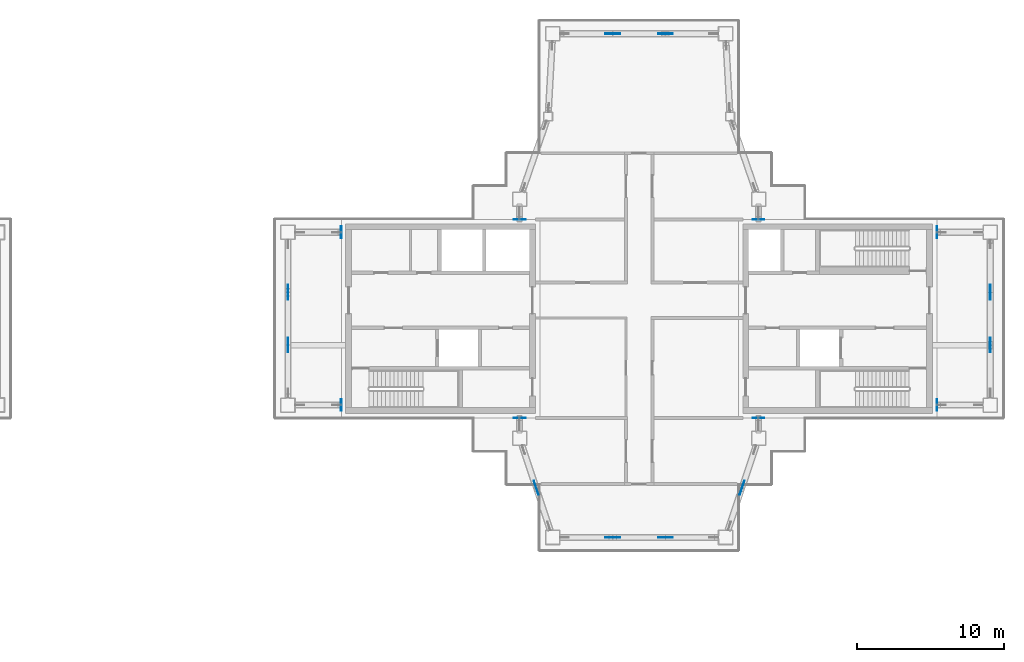
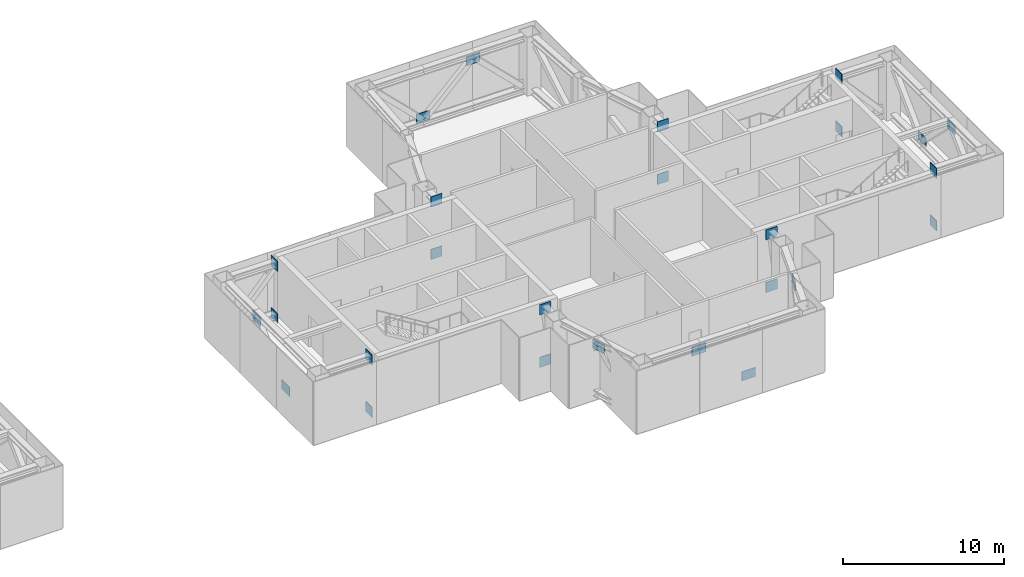
# One storey, part 12 of 18: 26 discrete accessories.
"""IFC4 building model written with IfcOpenShell, lengths in metres."""

from ifc_helpers import new_model, si_unit, direction, frame, origin, origin_2d, place, context, subcontext, project, spatial, rectangle, extrude, material, layer, layer_set, type_object, element, save


model = new_model("IFC4")

# Units and contexts
model_context = context("Model", 3, precision=1e-05, world=origin(), true_north=direction((0.0, 1.0)))
body_context = subcontext(model_context, "Body", "Model", "MODEL_VIEW")
ifc_project = project(units=[si_unit("LENGTHUNIT", "METRE"), si_unit("AREAUNIT", "SQUARE_METRE"), si_unit("VOLUMEUNIT", "CUBIC_METRE"), si_unit("PLANEANGLEUNIT", "RADIAN"), si_unit("MASSUNIT", "GRAM", prefix="KILO")], contexts=[model_context])

# Site, building, storey
site_placement = place(None, origin())
site = spatial("IfcSite", under=ifc_project, at=site_placement, CompositionType="ELEMENT")
building_placement = place(site_placement, origin())
building = spatial("IfcBuilding", under=site, at=building_placement, Name="Shamsa Quay Exchange Towers", CompositionType="ELEMENT")
storey_placement = place(building_placement, frame((0.0, 0.0, 225.60009765625)))
storey = spatial("IfcBuildingStorey", under=building, at=storey_placement, Name="L54", CompositionType="ELEMENT", Elevation=225.60009765625)

# Discrete accessories
ifc_material = material(Name="Steel S355", Category="steel")
ifc_layer_1 = layer(ifc_material, 0.050048828125)
ifc_layer_set_1 = layer_set([ifc_layer_1], Name="Cast-in plate 50x800x765")
discrete_accessory_type_1 = type_object("IfcDiscreteAccessoryType", Name="Cast-in plate 50x800x765", PredefinedType="ANCHORPLATE", material=ifc_layer_set_1)
for number, where, name in (
    (1, (13.5, -5.875, 3.834716796875), "Cast-in plate T2 L54"),
    (2, (13.5, -5.875, -0.150146484375), "Cast-in plate T2 L54"),
):
    element("IfcDiscreteAccessory", number, at=place(storey_placement, frame(where)), inside=storey, type_object=discrete_accessory_type_1, Name=name, PredefinedType="ANCHORPLATE", context=body_context, shape_type="SweptSolid", body=[
        extrude(rectangle(XDim=0.050048828125, YDim=0.800048828125, at=origin_2d()), origin(), (0.0, 0.0, 1.0), 0.76513671875),
    ])
for number, where, z_axis, x_axis, name in (
    (3, (25.625, -6.75, 3.834716796875), (0.0, 0.0, 1.0), (0.0, 1.0, 0.0), "Cast-in plate T2 L54"),
    (4, (25.625, -6.75, -0.150146484375), (0.0, 0.0, 1.0), (0.0, 1.0, 0.0), "Cast-in plate T2 L54"),
    (5, (41.875, -6.75, 3.834716796875), (0.0, 0.0, 1.0), (0.0, 1.0, 0.0), "Cast-in plate T2 L54"),
    (6, (41.875, -6.75, -0.150146484375), (0.0, 0.0, 1.0), (0.0, 1.0, 0.0), "Cast-in plate T2 L54"),
    (7, (54.0, -5.875, 3.834716796875), (0.0, 0.0, 1.0), (-1.0, 0.0, 0.0), "Cast-in plate T2 L54"),
    (8, (54.0, -5.875, -0.150146484375), (0.0, 0.0, 1.0), (-1.0, 0.0, 0.0), "Cast-in plate T2 L54"),
    (9, (54.0, 5.875, 3.834716796875), (0.0, 0.0, 1.0), (-1.0, 0.0, 0.0), "Cast-in plate T2 L54"),
    (10, (54.0, 5.875, -0.150146484375), (0.0, 0.0, 1.0), (-1.0, 0.0, 0.0), "Cast-in plate T2 L54"),
    (11, (41.875, 6.75, 3.834716796875), (0.0, 0.0, 1.0), (0.0, -1.0, 0.0), "Cast-in plate T2 L54"),
    (12, (41.875, 6.75, -0.150146484375), (0.0, 0.0, 1.0), (0.0, -1.0, 0.0), "Cast-in plate T2 L54"),
    (13, (25.625, 6.75, 3.834716796875), (0.0, 0.0, 1.0), (0.0, -1.0, 0.0), "Cast-in plate T2 L54"),
    (14, (25.625, 6.75, -0.150146484375), (0.0, 0.0, 1.0), (0.0, -1.0, 0.0), "Cast-in plate T2 L54"),
):
    element("IfcDiscreteAccessory", number, at=place(storey_placement, frame(where, z_axis=z_axis, x_axis=x_axis)), inside=storey, type_object=discrete_accessory_type_1, Name=name, PredefinedType="ANCHORPLATE", context=body_context, shape_type="SweptSolid", body=[
        extrude(rectangle(XDim=0.050048828125, YDim=0.800048828125, at=origin_2d()), origin(), (0.0, 0.0, 1.0), 0.76513671875),
    ])
for number, where, name in (
    (15, (13.5, 5.875, 3.834716796875), "Cast-in plate T2 L54"),
    (16, (13.5, 5.875, -0.150146484375), "Cast-in plate T2 L54"),
):
    element("IfcDiscreteAccessory", number, at=place(storey_placement, frame(where)), inside=storey, type_object=discrete_accessory_type_1, Name=name, PredefinedType="ANCHORPLATE", context=body_context, shape_type="SweptSolid", body=[
        extrude(rectangle(XDim=0.050048828125, YDim=0.800048828125, at=origin_2d()), origin(), (0.0, 0.0, 1.0), 0.76513671875),
    ])
ifc_layer_2 = layer(ifc_material, 0.0400390625)
ifc_layer_set_2 = layer_set([ifc_layer_2], Name="Gusset plate 1000x700x40")
discrete_accessory_type_2 = type_object("IfcDiscreteAccessoryType", Name="Gusset plate 1000x700x40", PredefinedType="BRACKET", material=ifc_layer_set_2)
discrete_accessory_placement = place(storey_placement, frame((26.75, -11.5, 3.43505859375), z_axis=(0.0, 0.0, 1.0), x_axis=(0.316227766018, -0.94868329805, 0.0)))
element("IfcDiscreteAccessory", 17, at=discrete_accessory_placement, inside=storey, type_object=discrete_accessory_type_2, Name="Gusset plate T2 L54", PredefinedType="BRACKET", context=body_context, shape_type="SweptSolid", body=[
    extrude(rectangle(XDim=1.0, YDim=0.0400390625, at=origin_2d()), origin(), (0.0, 0.0, 1.0), 0.699951171875),
])
for number, where, name in (
    (18, (31.958251953125, -14.875, 3.43505859375), "Gusset plate T2 L54"),
    (19, (35.541748046875, -14.875, 0.31494140625), "Gusset plate T2 L54"),
):
    element("IfcDiscreteAccessory", number, at=place(storey_placement, frame(where)), inside=storey, type_object=discrete_accessory_type_2, Name=name, PredefinedType="BRACKET", context=body_context, shape_type="SweptSolid", body=[
        extrude(rectangle(XDim=1.0, YDim=0.0400390625, at=origin_2d()), origin(), (0.0, 0.0, 1.0), 0.699951171875),
    ])
for number, where, z_axis, x_axis, name in (
    (20, (40.75, -11.5, 3.43505859375), (0.0, 0.0, 1.0), (0.316227766018, 0.94868329805, 0.0), "Gusset plate T2 L54"),
    (21, (57.625, -1.791748046875, 3.43505859375), (0.0, 0.0, 1.0), (0.0, 1.0, 0.0), "Gusset plate T2 L54"),
    (22, (57.625, 1.791748046875, 0.31494140625), (0.0, 0.0, 1.0), (0.0, 1.0, 0.0), "Gusset plate T2 L54"),
    (23, (35.541748046875, 19.375, 3.43505859375), (0.0, 0.0, 1.0), (-1.0, 0.0, 0.0), "Gusset plate T2 L54"),
    (24, (31.958251953125, 19.375, 0.31494140625), (0.0, 0.0, 1.0), (-1.0, 0.0, 0.0), "Gusset plate T2 L54"),
    (25, (9.875, 1.791748046875, 3.43505859375), (0.0, 0.0, 1.0), (0.0, -1.0, 0.0), "Gusset plate T2 L54"),
    (26, (9.875, -1.791748046875, 0.31494140625), (0.0, 0.0, 1.0), (0.0, -1.0, 0.0), "Gusset plate T2 L54"),
):
    element("IfcDiscreteAccessory", number, at=place(storey_placement, frame(where, z_axis=z_axis, x_axis=x_axis)), inside=storey, type_object=discrete_accessory_type_2, Name=name, PredefinedType="BRACKET", context=body_context, shape_type="SweptSolid", body=[
        extrude(rectangle(XDim=1.0, YDim=0.0400390625, at=origin_2d()), origin(), (0.0, 0.0, 1.0), 0.699951171875),
    ])

save(model, "model.ifc")
